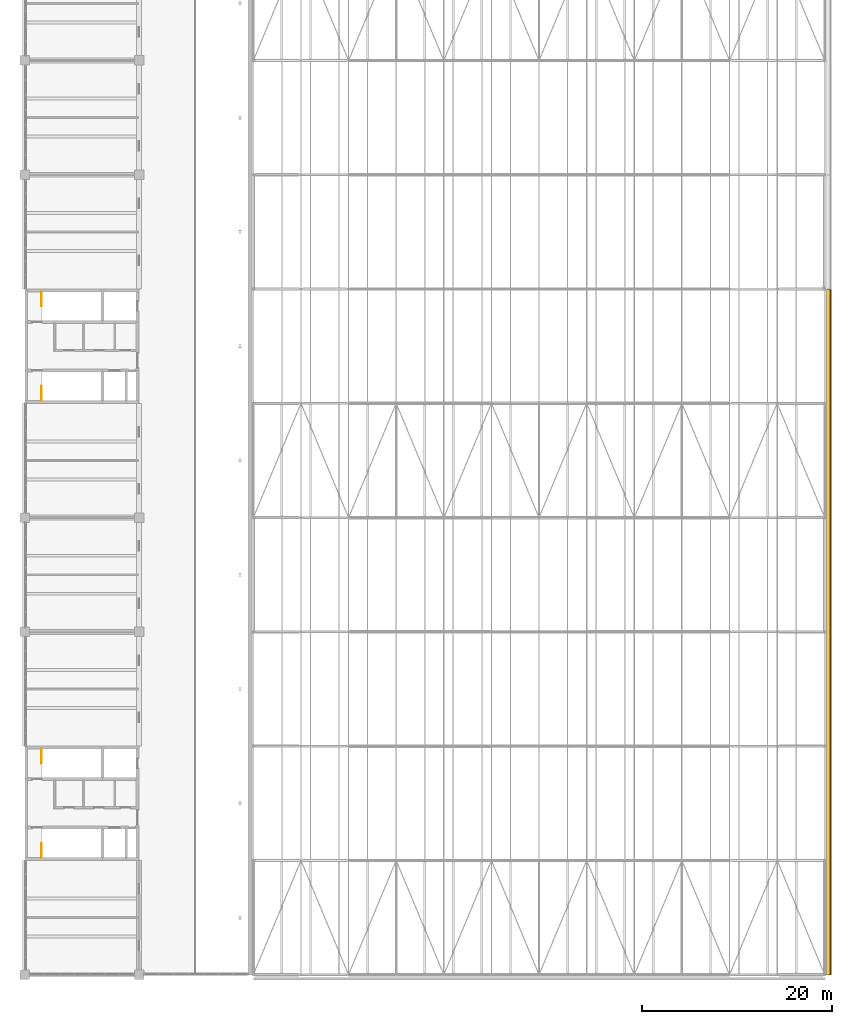
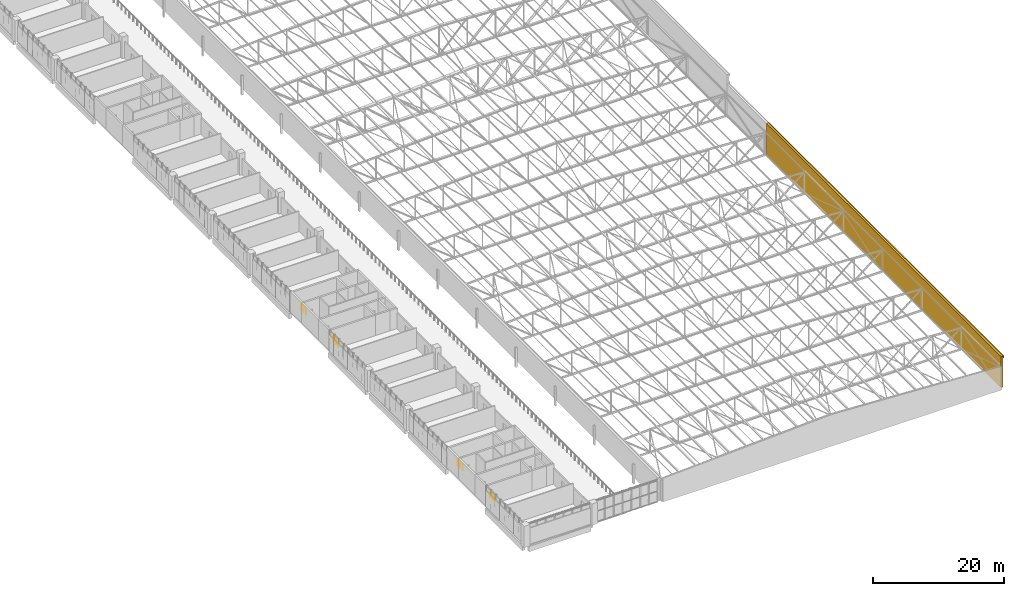
# One storey, part 153 of 156: 4 railings, 2 coverings.
"""IFC4 building model written with IfcOpenShell, lengths in metres."""

from ifc_helpers import new_model, si_unit, direction, frame, frame_2d, origin, origin_2d, place, context, subcontext, project, spatial, rectangle, circle, extrude, material, layer, layer_set, constituent, constituent_set, type_object, element, save


model = new_model("IFC4")

# Units and contexts
model_context = context("Model", 3, precision=1e-05, world=origin(), true_north=direction((0.0, 1.0)))
body_context = subcontext(model_context, "Body", "Model", "MODEL_VIEW")
ifc_project = project(units=[si_unit("LENGTHUNIT", "METRE"), si_unit("AREAUNIT", "SQUARE_METRE"), si_unit("VOLUMEUNIT", "CUBIC_METRE"), si_unit("PLANEANGLEUNIT", "RADIAN"), si_unit("MASSUNIT", "GRAM", prefix="KILO")], contexts=[model_context])

# Site, building, storey
site_placement = place(None, origin())
site = spatial("IfcSite", under=ifc_project, at=site_placement, CompositionType="ELEMENT")
building_placement = place(site_placement, origin())
building = spatial("IfcBuilding", under=site, at=building_placement, Name="Lilac Gate Convention Centre", CompositionType="ELEMENT")
storey_placement = place(building_placement, frame((0.0, 0.0, 17.0)))
storey = spatial("IfcBuildingStorey", under=building, at=storey_placement, Name="L03", CompositionType="ELEMENT", Elevation=17.0)

# Covering
ifc_material_1 = material(Name="Concrete C40 precast", Category="concrete")
ifc_layer_1 = layer(ifc_material_1, 0.1298828125)
ifc_material_2 = material(Name="Terracotta glazed cladding", Category="masonry")
ifc_layer_2 = layer(ifc_material_2, 0.02001953125)
ifc_layer_set_1 = layer_set([ifc_layer_1, ifc_layer_2], Name="Concrete C40 precast, Terracotta glazed cladding")
covering_type_1 = type_object("IfcCoveringType", Name="Cladding band terracotta 150", PredefinedType="CLADDING", material=ifc_layer_set_1)
covering_1_placement = place(storey_placement, frame((90.625, 30.0, 5.41552734375), z_axis=(0.0, 0.0, 1.0), x_axis=(0.0, 1.0, 0.0)))
element("IfcCovering", 1, at=covering_1_placement, inside=storey, type_object=covering_type_1, Name="Precast band hall east attic Exhibition Hall 1", PredefinedType="CLADDING", context=body_context, shape_type="SweptSolid", body=[
    extrude(rectangle(XDim=72.0, YDim=0.14990234375, at=frame_2d((36.0, 0.0))), origin(), (0.0, 0.0, 1.0), 0.39990234375),
])

# Railings
ifc_material_3 = material(Name="Steel Q235B", Category="steel")
ifc_constituent_1 = constituent(ifc_material_3, Name="Frame")
ifc_material_4 = material(Name="Safety glass, bonded interlayer", Category="glass")
ifc_constituent_2 = constituent(ifc_material_4, Name="Infill")
ifc_constituent_set = constituent_set(constituents=[ifc_constituent_1, ifc_constituent_2], Name="Steel Q235B, Safety glass, bonded interlayer")
railing_type = type_object("IfcRailingType", Name="Guard 1100 steel and glass", PredefinedType="GUARDRAIL", material=ifc_constituent_set)
for number, where, name in (
    (2, (7.75, 42.300048828125, 0.0), "Stairwell guard W1A"),
    (3, (7.75, 52.199951171875, 0.0), "Stairwell guard W1B"),
    (4, (7.75, 90.300048828125, 0.0), "Stairwell guard W2A"),
    (5, (7.75, 100.199951171875, 0.0), "Stairwell guard W2B"),
):
    element("IfcRailing", number, at=place(storey_placement, frame(where)), inside=storey, type_object=railing_type, Name=name, PredefinedType="GUARDRAIL", context=body_context, shape_type="SweptSolid", body=[
        extrude(circle(Radius=0.02392578125, at=origin_2d()), frame((0.0, 0.0, 1.076171875), z_axis=(0.0, 1.0, 0.0), x_axis=(-1.0, 0.0, 0.0)), (0.0, 0.0, 1.0), 1.5),
        extrude(circle(Radius=0.02099609375, at=origin_2d()), origin(), (0.0, 0.0, 1.0), 1.052001953125),
        extrude(circle(Radius=0.02099609375, at=origin_2d()), frame((0.0, 0.75, 0.0)), (0.0, 0.0, 1.0), 1.052001953125),
        extrude(circle(Radius=0.02099609375, at=origin_2d()), frame((0.0, 1.5, 0.0)), (0.0, 0.0, 1.0), 1.052001953125),
    ])

# Covering
ifc_layer_3 = layer(ifc_material_1, 0.330078125)
ifc_material_5 = material(Name="Ochre mineral render")
ifc_layer_4 = layer(ifc_material_5, 0.02001953125)
ifc_layer_set_2 = layer_set([ifc_layer_3, ifc_layer_4], Name="Concrete C40 precast, Ochre mineral render")
covering_type_2 = type_object("IfcCoveringType", Name="Precast attic panel 350", PredefinedType="CLADDING", material=ifc_layer_set_2)
covering_2_placement = place(storey_placement, frame((90.375, 30.0, 0.0), z_axis=(0.0, 0.0, 1.0), x_axis=(0.0, 1.0, 0.0)))
element("IfcCovering", 6, at=covering_2_placement, inside=storey, type_object=covering_type_2, Name="External wall hall east attic Exhibition Hall", PredefinedType="CLADDING", context=body_context, shape_type="SweptSolid", body=[
    extrude(rectangle(XDim=72.0, YDim=0.35009765625, at=frame_2d((36.0, 0.0))), origin(), (0.0, 0.0, 1.0), 5.8154296875),
])

save(model, "model.ifc")
